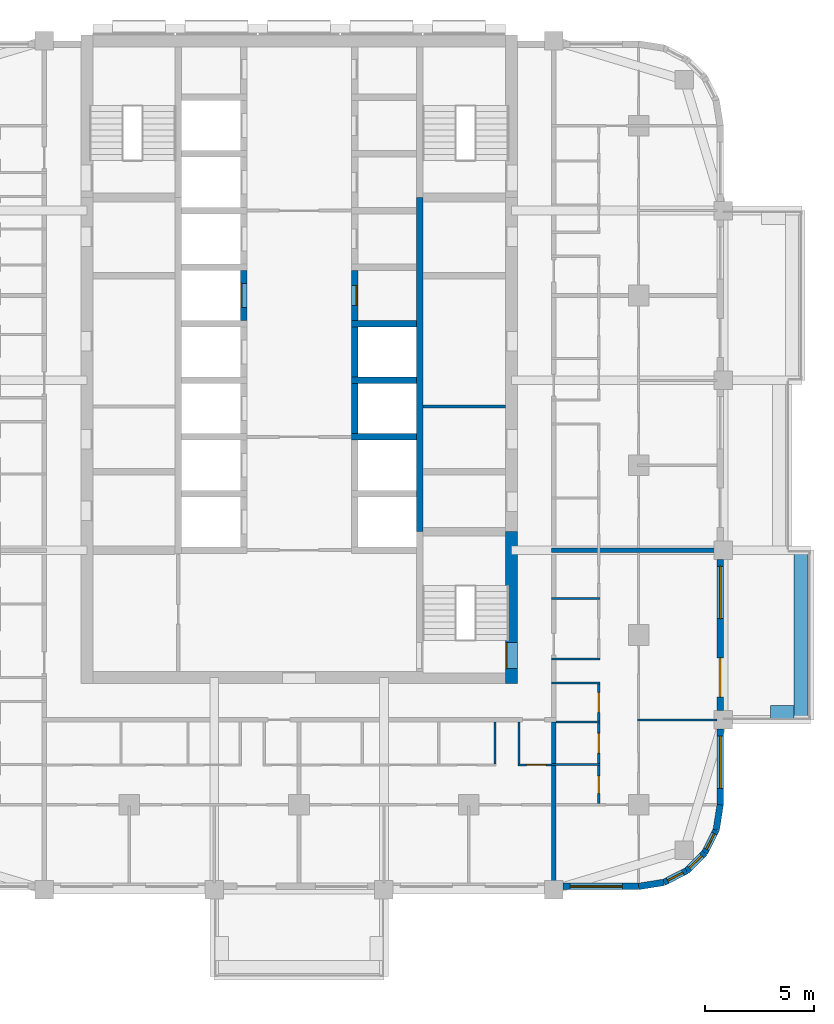
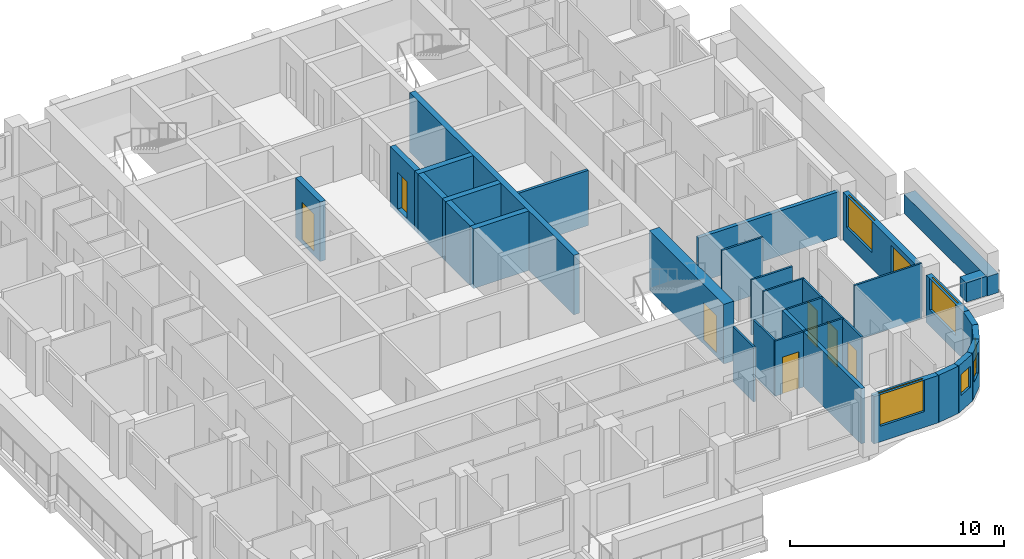
# One storey, part 6 of 14: 32 walls, 8 doors, 6 windows, 14 openings.
"""IFC4 building model written with IfcOpenShell, lengths in metres."""

from ifc_helpers import new_model, si_unit, direction, frame, frame_2d, origin, place, context, subcontext, project, spatial, rectangle, extrude, material, layer, layer_set, type_object, element, fill, save


model = new_model("IFC4")

# Units and contexts
model_context = context("Model", 3, precision=1e-05, world=origin(), true_north=direction((0.0, 1.0)))
body_context = subcontext(model_context, "Body", "Model", "MODEL_VIEW")
ifc_project = project(units=[si_unit("LENGTHUNIT", "METRE"), si_unit("AREAUNIT", "SQUARE_METRE"), si_unit("VOLUMEUNIT", "CUBIC_METRE"), si_unit("PLANEANGLEUNIT", "RADIAN"), si_unit("MASSUNIT", "GRAM", prefix="KILO")], contexts=[model_context])

# Site, building, storey
site_placement = place(None, origin())
site = spatial("IfcSite", under=ifc_project, at=site_placement, CompositionType="ELEMENT")
building_placement = place(site_placement, origin())
building = spatial("IfcBuilding", under=site, at=building_placement, Name="Ludao Terraces", CompositionType="ELEMENT")
storey_placement = place(building_placement, frame((0.0, 0.0, 110.10009765625)))
storey = spatial("IfcBuildingStorey", under=building, at=storey_placement, Name="L30", CompositionType="ELEMENT", Elevation=110.10009765625)

# Wall, opening, door
ifc_material_1 = material(Name="Concrete C60", Category="concrete")
ifc_layer_1 = layer(ifc_material_1, 0.550048828125)
ifc_layer_set_1 = layer_set([ifc_layer_1], Name="Core wall 550 C60")
wall_type_1 = type_object("IfcWallType", Name="Core wall 550 C60", PredefinedType="SOLIDWALL", material=ifc_layer_set_1)
wall_1_placement = place(storey_placement, frame((94.75, 54.97509765625, -0.25), z_axis=(0.0, 0.0, 1.0), x_axis=(0.0, 1.0, 0.0)))
wall_1 = element("IfcWall", 1, at=wall_1_placement, inside=storey, type_object=wall_type_1, Name="Core wall L30 outer-E-S3", PredefinedType="SOLIDWALL", context=body_context, shape_type="SweptSolid", body=[
    extrude(rectangle(XDim=6.974853515625, YDim=0.550048828125, at=frame_2d((3.4873046875, 0.0))), origin(), (0.0, 0.0, 1.0), 3.39990234375),
])
opening_1_placement = place(wall_1_placement, frame((0.675048828125, 0.0, 0.25)))
opening_1 = element("IfcOpeningElement", 2, at=opening_1_placement, cuts=wall_1, Name="Opening R09-033", PredefinedType="OPENING", context=body_context, shape_type="SweptSolid", body=[
    extrude(rectangle(XDim=1.199951171875, YDim=2.10009765625, at=frame_2d((0.60009765625, 1.050048828125))), frame((0.0, 0.28515625, 0.0), z_axis=(0.0, -1.0, 0.0), x_axis=(1.0, 0.0, 0.0)), (0.0, 0.0, 1.0), 0.570068359375),
])
ifc_material_2 = material(Name="Steel Q235", Category="steel")
door_type_1 = type_object("IfcDoorType", Name="INT Stair door 1200", OperationType="DOUBLE_DOOR_SINGLE_SWING", PredefinedType="DOOR", material=ifc_material_2)
door_1_placement = place(opening_1_placement, origin())
door_1 = element("IfcDoor", 3, at=door_1_placement, inside=storey, type_object=door_type_1, Name="DOOR 033", OperationType="DOUBLE_DOOR_SINGLE_SWING", OverallHeight=2.10009765625, OverallWidth=1.199951171875, PredefinedType="DOOR", context=body_context, shape_type="SweptSolid", body=[
    extrude(rectangle(XDim=1.199951171875, YDim=2.10009765625, at=frame_2d((0.60009765625, 1.050048828125))), frame((0.0, 0.26025390625, 0.0), z_axis=(0.0, -1.0, 0.0), x_axis=(1.0, 0.0, 0.0)), (0.0, 0.0, 1.0), 0.050048828125),
])
fill(opening_1, door_1)

# Walls
ifc_material_3 = material(Name="Concrete C40", Category="concrete")
ifc_layer_2 = layer(ifc_material_3, 0.60009765625)
ifc_layer_set_2 = layer_set([ifc_layer_2], Name="ENV Planter trough 600")
wall_type_2 = type_object("IfcWallType", Name="ENV Planter trough 600", PredefinedType="USERDEFINED", material=ifc_layer_set_2)
wall_2_placement = place(storey_placement, frame((108.050048828125, 53.300048828125, 0.0), z_axis=(0.0, 0.0, 1.0), x_axis=(0.0, 1.0, 0.0)))
element("IfcWall", 4, at=wall_2_placement, inside=storey, type_object=wall_type_2, Name="PL-L30-E1", ObjectType="PLANTER", PredefinedType="USERDEFINED", context=body_context, shape_type="SweptSolid", body=[
    extrude(rectangle(XDim=7.800048828125, YDim=0.60009765625, at=frame_2d((3.89990234375, 0.0))), origin(), (0.0, 0.0, 1.0), 1.099853515625),
])
wall_3_placement = place(storey_placement, frame((107.75, 53.64990234375, 0.0), z_axis=(0.0, 0.0, 1.0), x_axis=(-1.0, 0.0, 0.0)))
element("IfcWall", 5, at=wall_3_placement, inside=storey, type_object=wall_type_2, Name="PL-L30-E1-SA", ObjectType="PLANTER", PredefinedType="USERDEFINED", context=body_context, shape_type="SweptSolid", body=[
    extrude(rectangle(XDim=1.10009765625, YDim=0.60009765625, at=frame_2d((0.550048828125, 0.0))), origin(), (0.0, 0.0, 1.0), 1.099853515625),
])

# Wall, opening, window
ifc_material_4 = material(Name="Granite cladding", Category="masonry")
ifc_layer_3 = layer(ifc_material_4, 0.0400390625, Category="stone")
ifc_material_5 = material(Name="Mineral wool")
ifc_layer_4 = layer(ifc_material_5, 0.06005859375)
ifc_layer_5 = layer(ifc_material_3, 0.199951171875, Category="concrete")
ifc_layer_set_3 = layer_set([ifc_layer_3, ifc_layer_4, ifc_layer_5], Name="ENV Stone-clad wall 300")
wall_type_3 = type_object("IfcWallType", Name="ENV Stone-clad wall 300", PredefinedType="SOLIDWALL", material=ifc_layer_set_3)
wall_4_placement = place(storey_placement, frame((97.125, 45.64990234375, 0.0), z_axis=(0.0, 0.0, 1.0), x_axis=(1.0, 0.0, 0.0)))
wall_4 = element("IfcWall", 6, at=wall_4_placement, inside=storey, type_object=wall_type_3, Name="EW-L30-S5", PredefinedType="SOLIDWALL", context=body_context, shape_type="SweptSolid", body=[
    extrude(rectangle(XDim=3.47509765625, YDim=0.300048828125, at=frame_2d((1.737548828125, 0.0))), origin(), (0.0, 0.0, 1.0), 2.699951171875),
])
opening_2_placement = place(wall_4_placement, frame((0.324951171875, 0.0, 0.89990234375)))
opening_2 = element("IfcOpeningElement", 7, at=opening_2_placement, cuts=wall_4, Name="Opening W1", PredefinedType="OPENING", context=body_context, shape_type="SweptSolid", body=[
    extrude(rectangle(XDim=2.39990234375, YDim=1.800048828125, at=frame_2d((1.199951171875, 0.89990234375))), frame((0.0, 0.16015625, 0.0), z_axis=(0.0, -1.0, 0.0), x_axis=(1.0, 0.0, 0.0)), (0.0, 0.0, 1.0), 0.320068359375),
])
ifc_material_6 = material(Name="Clear glass in aluminium frame", Category="aluminium")
ifc_layer_6 = layer(ifc_material_6, 0.06005859375)
ifc_layer_set_4 = layer_set([ifc_layer_6], Name="ENV Window W1 2400x1800")
window_type_1 = type_object("IfcWindowType", Name="ENV Window W1 2400x1800", PartitioningType="DOUBLE_PANEL_VERTICAL", PredefinedType="WINDOW", material=ifc_layer_set_4)
window_1_placement = place(opening_2_placement, origin())
window_1 = element("IfcWindow", 8, at=window_1_placement, inside=storey, type_object=window_type_1, Name="W-L30-S5-1", OverallHeight=1.800048828125, OverallWidth=2.39990234375, PartitioningType="DOUBLE_PANEL_VERTICAL", PredefinedType="WINDOW", context=body_context, shape_type="SweptSolid", body=[
    extrude(rectangle(XDim=2.39990234375, YDim=1.800048828125, at=frame_2d((1.199951171875, 0.89990234375))), frame((0.0, 0.030029296875, 0.0), z_axis=(0.0, -1.0, 0.0), x_axis=(1.0, 0.0, 0.0)), (0.0, 0.0, 1.0), 0.06005859375),
])
fill(opening_2, window_1)

wall_5_placement = place(storey_placement, frame((104.35009765625, 49.39990234375, 0.0), z_axis=(0.0, 0.0, 1.0), x_axis=(0.0, 1.0, 0.0)))
wall_5 = element("IfcWall", 9, at=wall_5_placement, inside=storey, type_object=wall_type_3, Name="EW-L30-E1", PredefinedType="SOLIDWALL", context=body_context, shape_type="SweptSolid", body=[
    extrude(rectangle(XDim=3.47509765625, YDim=0.300048828125, at=frame_2d((1.737548828125, 0.0))), origin(), (0.0, 0.0, 1.0), 2.699951171875),
])
opening_3_placement = place(wall_5_placement, frame((0.75, 0.0, 0.89990234375)))
opening_3 = element("IfcOpeningElement", 10, at=opening_3_placement, cuts=wall_5, Name="Opening W1", PredefinedType="OPENING", context=body_context, shape_type="SweptSolid", body=[
    extrude(rectangle(XDim=2.39990234375, YDim=1.800048828125, at=frame_2d((1.199951171875, 0.89990234375))), frame((0.0, 0.16015625, 0.0), z_axis=(0.0, -1.0, 0.0), x_axis=(1.0, 0.0, 0.0)), (0.0, 0.0, 1.0), 0.320068359375),
])
window_2_placement = place(opening_3_placement, origin())
window_2 = element("IfcWindow", 11, at=window_2_placement, inside=storey, type_object=window_type_1, Name="W-L30-E1-1", OverallHeight=1.800048828125, OverallWidth=2.39990234375, PartitioningType="DOUBLE_PANEL_VERTICAL", PredefinedType="WINDOW", context=body_context, shape_type="SweptSolid", body=[
    extrude(rectangle(XDim=2.39990234375, YDim=1.800048828125, at=frame_2d((1.199951171875, 0.89990234375))), frame((0.0, 0.030029296875, 0.0), z_axis=(0.0, -1.0, 0.0), x_axis=(1.0, 0.0, 0.0)), (0.0, 0.0, 1.0), 0.06005859375),
])
fill(opening_3, window_2)

# Wall, openings, door, window
wall_6_placement = place(storey_placement, frame((104.35009765625, 53.72509765625, 0.0), z_axis=(0.0, 0.0, 1.0), x_axis=(0.0, 1.0, 0.0)))
wall_6 = element("IfcWall", 12, at=wall_6_placement, inside=storey, type_object=wall_type_3, Name="EW-L30-E2", PredefinedType="SOLIDWALL", context=body_context, shape_type="SweptSolid", body=[
    extrude(rectangle(XDim=6.949951171875, YDim=0.300048828125, at=frame_2d((3.47509765625, 0.0))), origin(), (0.0, 0.0, 1.0), 2.699951171875),
])
opening_4_placement = place(wall_6_placement, frame((0.625, 0.0, 0.0)))
opening_4 = element("IfcOpeningElement", 13, at=opening_4_placement, cuts=wall_6, Name="Opening BD", PredefinedType="OPENING", context=body_context, shape_type="SweptSolid", body=[
    extrude(rectangle(XDim=1.800048828125, YDim=2.39990234375, at=frame_2d((0.89990234375, 1.199951171875))), frame((0.0, 0.16015625, 0.0), z_axis=(0.0, -1.0, 0.0), x_axis=(1.0, 0.0, 0.0)), (0.0, 0.0, 1.0), 0.320068359375),
])
opening_5_placement = place(wall_6_placement, frame((4.22509765625, 0.0, 0.89990234375)))
opening_5 = element("IfcOpeningElement", 14, at=opening_5_placement, cuts=wall_6, Name="Opening W1", PredefinedType="OPENING", context=body_context, shape_type="SweptSolid", body=[
    extrude(rectangle(XDim=2.39990234375, YDim=1.800048828125, at=frame_2d((1.199951171875, 0.89990234375))), frame((0.0, 0.16015625, 0.0), z_axis=(0.0, -1.0, 0.0), x_axis=(1.0, 0.0, 0.0)), (0.0, 0.0, 1.0), 0.320068359375),
])
ifc_material_7 = material(Name="Aluminium glazed door", Category="aluminium")
ifc_layer_7 = layer(ifc_material_7, 0.06005859375)
ifc_layer_set_5 = layer_set([ifc_layer_7], Name="ENV Balcony door BD 1800x2400")
door_type_2 = type_object("IfcDoorType", Name="ENV Balcony door BD 1800x2400", OperationType="DOUBLE_DOOR_SINGLE_SWING", PredefinedType="DOOR", material=ifc_layer_set_5)
door_2_placement = place(opening_4_placement, origin())
door_2 = element("IfcDoor", 15, at=door_2_placement, inside=storey, type_object=door_type_2, Name="BD-L30-E2-1", OperationType="DOUBLE_DOOR_SINGLE_SWING", OverallHeight=2.39990234375, OverallWidth=1.800048828125, PredefinedType="DOOR", context=body_context, shape_type="SweptSolid", body=[
    extrude(rectangle(XDim=1.800048828125, YDim=2.39990234375, at=frame_2d((0.89990234375, 1.199951171875))), frame((0.0, 0.02490234375, 0.0), z_axis=(0.0, -1.0, 0.0), x_axis=(1.0, 0.0, 0.0)), (0.0, 0.0, 1.0), 0.050048828125),
])
fill(opening_4, door_2)
window_3_placement = place(opening_5_placement, origin())
window_3 = element("IfcWindow", 16, at=window_3_placement, inside=storey, type_object=window_type_1, Name="W-L30-E2-2", OverallHeight=1.800048828125, OverallWidth=2.39990234375, PartitioningType="DOUBLE_PANEL_VERTICAL", PredefinedType="WINDOW", context=body_context, shape_type="SweptSolid", body=[
    extrude(rectangle(XDim=2.39990234375, YDim=1.800048828125, at=frame_2d((1.199951171875, 0.89990234375))), frame((0.0, 0.030029296875, 0.0), z_axis=(0.0, -1.0, 0.0), x_axis=(1.0, 0.0, 0.0)), (0.0, 0.0, 1.0), 0.06005859375),
])
fill(opening_5, window_3)

# Wall
wall_7_placement = place(storey_placement, frame((100.60009765625, 45.64990234375, 0.0), z_axis=(0.0, 0.0, 1.0), x_axis=(0.987678452879, 0.156496880861, 0.0)))
element("IfcWall", 17, at=wall_7_placement, inside=storey, type_object=wall_type_3, Name="EW-L30-SE1", PredefinedType="SOLIDWALL", context=body_context, shape_type="SweptSolid", body=[
    extrude(rectangle(XDim=1.173095703125, YDim=0.300048828125, at=frame_2d((0.58642578125, 0.0))), origin(), (0.0, 0.0, 1.0), 2.699951171875),
])

# Wall, opening, window
wall_8_placement = place(storey_placement, frame((101.7587890625, 45.83349609375, 0.0), z_axis=(0.0, 0.0, 1.0), x_axis=(0.890988677504, 0.454025524128, 0.0)))
wall_8 = element("IfcWall", 18, at=wall_8_placement, inside=storey, type_object=wall_type_3, Name="EW-L30-SE2", PredefinedType="SOLIDWALL", context=body_context, shape_type="SweptSolid", body=[
    extrude(rectangle(XDim=1.17333984375, YDim=0.300048828125, at=frame_2d((0.586669921875, 0.0))), origin(), (0.0, 0.0, 1.0), 2.699951171875),
])
opening_6_placement = place(wall_8_placement, frame((0.1865234375, 0.0, 0.89990234375)))
opening_6 = element("IfcOpeningElement", 19, at=opening_6_placement, cuts=wall_8, Name="Opening W3", PredefinedType="OPENING", context=body_context, shape_type="SweptSolid", body=[
    extrude(rectangle(XDim=0.800048828125, YDim=1.199951171875, at=frame_2d((0.39990234375, 0.60009765625))), frame((0.0, 0.16015625, 0.0), z_axis=(0.0, -1.0, 0.0), x_axis=(1.0, 0.0, 0.0)), (0.0, 0.0, 1.0), 0.320068359375),
])
ifc_layer_8 = layer(ifc_material_6, 0.06005859375)
ifc_layer_set_6 = layer_set([ifc_layer_8], Name="ENV Window W3 800x1200")
window_type_2 = type_object("IfcWindowType", Name="ENV Window W3 800x1200", PartitioningType="SINGLE_PANEL", PredefinedType="WINDOW", material=ifc_layer_set_6)
window_4_placement = place(opening_6_placement, origin())
window_4 = element("IfcWindow", 20, at=window_4_placement, inside=storey, type_object=window_type_2, Name="W-L30-SE2", OverallHeight=1.199951171875, OverallWidth=0.800048828125, PartitioningType="SINGLE_PANEL", PredefinedType="WINDOW", context=body_context, shape_type="SweptSolid", body=[
    extrude(rectangle(XDim=0.800048828125, YDim=1.199951171875, at=frame_2d((0.39990234375, 0.60009765625))), frame((0.0, 0.030029296875, 0.0), z_axis=(0.0, -1.0, 0.0), x_axis=(1.0, 0.0, 0.0)), (0.0, 0.0, 1.0), 0.06005859375),
])
fill(opening_6, window_4)

wall_9_placement = place(storey_placement, frame((102.80419921875, 46.3662109375, 0.0), z_axis=(0.0, 0.0, 1.0), x_axis=(0.707106781187, 0.707106781187, 0.0)))
wall_9 = element("IfcWall", 21, at=wall_9_placement, inside=storey, type_object=wall_type_3, Name="EW-L30-SE3", PredefinedType="SOLIDWALL", context=body_context, shape_type="SweptSolid", body=[
    extrude(rectangle(XDim=1.173095703125, YDim=0.300048828125, at=frame_2d((0.58642578125, 0.0))), origin(), (0.0, 0.0, 1.0), 2.699951171875),
])
opening_7_placement = place(wall_9_placement, frame((0.1865234375, 0.0, 0.89990234375)))
opening_7 = element("IfcOpeningElement", 22, at=opening_7_placement, cuts=wall_9, Name="Opening W3", PredefinedType="OPENING", context=body_context, shape_type="SweptSolid", body=[
    extrude(rectangle(XDim=0.800048828125, YDim=1.199951171875, at=frame_2d((0.39990234375, 0.60009765625))), frame((0.0, 0.16015625, 0.0), z_axis=(0.0, -1.0, 0.0), x_axis=(1.0, 0.0, 0.0)), (0.0, 0.0, 1.0), 0.320068359375),
])
window_5_placement = place(opening_7_placement, origin())
window_5 = element("IfcWindow", 23, at=window_5_placement, inside=storey, type_object=window_type_2, Name="W-L30-SE3", OverallHeight=1.199951171875, OverallWidth=0.800048828125, PartitioningType="SINGLE_PANEL", PredefinedType="WINDOW", context=body_context, shape_type="SweptSolid", body=[
    extrude(rectangle(XDim=0.800048828125, YDim=1.199951171875, at=frame_2d((0.39990234375, 0.60009765625))), frame((0.0, 0.030029296875, 0.0), z_axis=(0.0, -1.0, 0.0), x_axis=(1.0, 0.0, 0.0)), (0.0, 0.0, 1.0), 0.06005859375),
])
fill(opening_7, window_5)

wall_10_placement = place(storey_placement, frame((103.6337890625, 47.19580078125, 0.0), z_axis=(0.0, 0.0, 1.0), x_axis=(0.454025524128, 0.890988677504, 0.0)))
wall_10 = element("IfcWall", 24, at=wall_10_placement, inside=storey, type_object=wall_type_3, Name="EW-L30-SE4", PredefinedType="SOLIDWALL", context=body_context, shape_type="SweptSolid", body=[
    extrude(rectangle(XDim=1.17333984375, YDim=0.300048828125, at=frame_2d((0.586669921875, 0.0))), origin(), (0.0, 0.0, 1.0), 2.699951171875),
])
opening_8_placement = place(wall_10_placement, frame((0.1865234375, 0.0, 0.89990234375)))
opening_8 = element("IfcOpeningElement", 25, at=opening_8_placement, cuts=wall_10, Name="Opening W3", PredefinedType="OPENING", context=body_context, shape_type="SweptSolid", body=[
    extrude(rectangle(XDim=0.800048828125, YDim=1.199951171875, at=frame_2d((0.39990234375, 0.60009765625))), frame((0.0, 0.16015625, 0.0), z_axis=(0.0, -1.0, 0.0), x_axis=(1.0, 0.0, 0.0)), (0.0, 0.0, 1.0), 0.320068359375),
])
window_6_placement = place(opening_8_placement, origin())
window_6 = element("IfcWindow", 26, at=window_6_placement, inside=storey, type_object=window_type_2, Name="W-L30-SE4", OverallHeight=1.199951171875, OverallWidth=0.800048828125, PartitioningType="SINGLE_PANEL", PredefinedType="WINDOW", context=body_context, shape_type="SweptSolid", body=[
    extrude(rectangle(XDim=0.800048828125, YDim=1.199951171875, at=frame_2d((0.39990234375, 0.60009765625))), frame((0.0, 0.030029296875, 0.0), z_axis=(0.0, -1.0, 0.0), x_axis=(1.0, 0.0, 0.0)), (0.0, 0.0, 1.0), 0.06005859375),
])
fill(opening_8, window_6)

# Walls
wall_11_placement = place(storey_placement, frame((104.16650390625, 48.2412109375, 0.0), z_axis=(0.0, 0.0, 1.0), x_axis=(0.156496880861, 0.987678452879, 0.0)))
element("IfcWall", 27, at=wall_11_placement, inside=storey, type_object=wall_type_3, Name="EW-L30-SE5", PredefinedType="SOLIDWALL", context=body_context, shape_type="SweptSolid", body=[
    extrude(rectangle(XDim=1.173095703125, YDim=0.300048828125, at=frame_2d((0.58642578125, 0.0))), origin(), (0.0, 0.0, 1.0), 2.699951171875),
])
ifc_material_8 = material(Name="Fire-rated gypsum plasterboard", Category="gypsum")
ifc_layer_9 = layer(ifc_material_8, 0.012451171875, Category="gypsum")
ifc_layer_10 = layer(ifc_material_5, 0.10009765625, Name="insulation")
ifc_layer_11 = layer(ifc_material_2, 0.02490234375, Name="stud")
ifc_layer_12 = layer(ifc_material_8, 0.012451171875, Category="gypsum")
ifc_layer_set_7 = layer_set([ifc_layer_9, ifc_layer_10, ifc_layer_11, ifc_layer_12], Name="INT Core partition 150")
wall_type_4 = type_object("IfcWallType", Name="INT Core partition 150", PredefinedType="PARTITIONING", material=ifc_layer_set_7)
wall_12_placement = place(storey_placement, frame((90.7001953125, 67.699951171875, 0.0), z_axis=(0.0, 0.0, 1.0), x_axis=(1.0, 0.0, 0.0)))
element("IfcWall", 28, at=wall_12_placement, inside=storey, type_object=wall_type_4, Name="PW-L30-PW028", PredefinedType="PARTITIONING", context=body_context, shape_type="SweptSolid", body=[
    extrude(rectangle(XDim=3.77490234375, YDim=0.14990234375, at=frame_2d((1.887451171875, 0.0))), origin(), (0.0, 0.0, 1.0), 3.14990234375),
])

# Wall, opening, door
ifc_material_9 = material(Name="Gypsum plasterboard", Category="gypsum")
ifc_layer_13 = layer(ifc_material_9, 0.012451171875, Category="gypsum")
ifc_layer_14 = layer(ifc_material_5, 0.06005859375, Name="insulation")
ifc_layer_15 = layer(ifc_material_2, 0.014892578125, Name="stud")
ifc_layer_16 = layer(ifc_material_9, 0.012451171875, Category="gypsum")
ifc_layer_set_8 = layer_set([ifc_layer_13, ifc_layer_14, ifc_layer_15, ifc_layer_16], Name="INT Partition 100")
wall_type_5 = type_object("IfcWallType", Name="INT Partition 100", PredefinedType="PARTITIONING", material=ifc_layer_set_8)
wall_13_placement = place(storey_placement, frame((95.050048828125, 51.22998046875, 0.0), z_axis=(0.0, 0.0, 1.0), x_axis=(1.0, 0.0, 0.0)))
wall_13 = element("IfcWall", 29, at=wall_13_placement, inside=storey, type_object=wall_type_5, Name="PW-L30-PW003", PredefinedType="PARTITIONING", context=body_context, shape_type="SweptSolid", body=[
    extrude(rectangle(XDim=1.550048828125, YDim=0.10009765625, at=frame_2d((0.77490234375, 0.0))), origin(), (0.0, 0.0, 1.0), 3.14990234375),
])
opening_9_placement = place(wall_13_placement, frame((0.39990234375, 0.0, 0.0)))
opening_9 = element("IfcOpeningElement", 30, at=opening_9_placement, cuts=wall_13, Name="Opening R09-020", PredefinedType="OPENING", context=body_context, shape_type="SweptSolid", body=[
    extrude(rectangle(XDim=0.89990234375, YDim=2.10009765625, at=frame_2d((0.449951171875, 1.050048828125))), frame((0.0, 0.06005859375, 0.0), z_axis=(0.0, -1.0, 0.0), x_axis=(1.0, 0.0, 0.0)), (0.0, 0.0, 1.0), 0.1201171875),
])
ifc_material_10 = material(Name="Timber door leaf", Category="wood")
door_type_3 = type_object("IfcDoorType", Name="INT Bathroom door 900", OperationType="SINGLE_SWING_LEFT", PredefinedType="DOOR", material=ifc_material_10)
door_3_placement = place(opening_9_placement, origin())
door_3 = element("IfcDoor", 31, at=door_3_placement, inside=storey, type_object=door_type_3, Name="DOOR 020", OperationType="SINGLE_SWING_RIGHT", OverallHeight=2.10009765625, OverallWidth=0.89990234375, PredefinedType="DOOR", context=body_context, shape_type="SweptSolid", body=[
    extrude(rectangle(XDim=0.89990234375, YDim=2.10009765625, at=frame_2d((0.449951171875, 1.050048828125))), frame((0.0, 0.02490234375, 0.0), z_axis=(0.0, -1.0, 0.0), x_axis=(1.0, 0.0, 0.0)), (0.0, 0.0, 1.0), 0.050048828125),
])
fill(opening_9, door_3)

# Walls
wall_14_placement = place(storey_placement, frame((96.60009765625, 51.25, 0.0), z_axis=(0.0, 0.0, 1.0), x_axis=(1.0, 0.0, 0.0)))
element("IfcWall", 32, at=wall_14_placement, inside=storey, type_object=wall_type_5, Name="PW-L30-PW005", PredefinedType="PARTITIONING", context=body_context, shape_type="SweptSolid", body=[
    extrude(rectangle(XDim=2.219970703125, YDim=0.10009765625, at=frame_2d((1.10986328125, 0.0))), origin(), (0.0, 0.0, 1.0), 3.14990234375),
])
wall_15_placement = place(storey_placement, frame((96.800048828125, 53.199951171875, 0.0), z_axis=(0.0, 0.0, 1.0), x_axis=(1.0, 0.0, 0.0)))
element("IfcWall", 33, at=wall_15_placement, inside=storey, type_object=wall_type_5, Name="PW-L30-PW006", PredefinedType="PARTITIONING", context=body_context, shape_type="SweptSolid", body=[
    extrude(rectangle(XDim=2.02001953125, YDim=0.10009765625, at=frame_2d((1.010009765625, 0.0))), origin(), (0.0, 0.0, 1.0), 3.14990234375),
])
wall_16_placement = place(storey_placement, frame((100.550048828125, 53.300048828125, 0.0), z_axis=(0.0, 0.0, 1.0), x_axis=(1.0, 0.0, 0.0)))
element("IfcWall", 34, at=wall_16_placement, inside=storey, type_object=wall_type_5, Name="PW-L30-PW009", PredefinedType="PARTITIONING", context=body_context, shape_type="SweptSolid", body=[
    extrude(rectangle(XDim=3.650146484375, YDim=0.10009765625, at=frame_2d((1.8251953125, 0.0))), origin(), (0.0, 0.0, 1.0), 3.14990234375),
])
for number, where, z_axis, x_axis, name in (
    (35, (96.60009765625, 55.0, 0.0), (0.0, 0.0, 1.0), (1.0, 0.0, 0.0), "PW-L30-PW011"),
    (36, (96.60009765625, 56.10009765625, 0.0), (0.0, 0.0, 1.0), (1.0, 0.0, 0.0), "PW-L30-PW013"),
    (37, (96.60009765625, 58.8701171875, 0.0), (0.0, 0.0, 1.0), (1.0, 0.0, 0.0), "PW-L30-PW016"),
):
    element("IfcWall", number, at=place(storey_placement, frame(where, z_axis=z_axis, x_axis=x_axis)), inside=storey, type_object=wall_type_5, Name=name, PredefinedType="PARTITIONING", context=body_context, shape_type="SweptSolid", body=[
        extrude(rectangle(XDim=2.219970703125, YDim=0.10009765625, at=frame_2d((1.10986328125, 0.0))), origin(), (0.0, 0.0, 1.0), 3.14990234375),
    ])
for number, where, z_axis, x_axis, name in (
    (38, (94.0, 51.280029296875, 0.0), (0.0, 0.0, 1.0), (0.0, 1.0, 0.0), "PW-L30-PW069"),
    (39, (95.10009765625, 51.280029296875, 0.0), (0.0, 0.0, 1.0), (0.0, 1.0, 0.0), "PW-L30-PW070"),
):
    element("IfcWall", number, at=place(storey_placement, frame(where, z_axis=z_axis, x_axis=x_axis)), inside=storey, type_object=wall_type_5, Name=name, PredefinedType="PARTITIONING", context=body_context, shape_type="SweptSolid", body=[
        extrude(rectangle(XDim=1.920166015625, YDim=0.10009765625, at=frame_2d((0.9599609375, 0.0))), origin(), (0.0, 0.0, 1.0), 3.14990234375),
    ])

# Wall, openings, doors
wall_17_placement = place(storey_placement, frame((98.77001953125, 49.4501953125, 0.0), z_axis=(0.0, 0.0, 1.0), x_axis=(0.0, 1.0, 0.0)))
wall_17 = element("IfcWall", 40, at=wall_17_placement, inside=storey, type_object=wall_type_5, Name="PW-L30-PW073", PredefinedType="PARTITIONING", context=body_context, shape_type="SweptSolid", body=[
    extrude(rectangle(XDim=5.5, YDim=0.10009765625, at=frame_2d((2.75, 0.0))), origin(), (0.0, 0.0, 1.0), 3.14990234375),
])
opening_10_placement = place(wall_17_placement, frame((0.474853515625, 0.0, 0.0)))
opening_10 = element("IfcOpeningElement", 41, at=opening_10_placement, cuts=wall_17, Name="Opening R09-012", PredefinedType="OPENING", context=body_context, shape_type="SweptSolid", body=[
    extrude(rectangle(XDim=0.800048828125, YDim=2.10009765625, at=frame_2d((0.39990234375, 1.050048828125))), frame((0.0, 0.06005859375, 0.0), z_axis=(0.0, -1.0, 0.0), x_axis=(1.0, 0.0, 0.0)), (0.0, 0.0, 1.0), 0.1201171875),
])
opening_11_placement = place(wall_17_placement, frame((2.324951171875, 0.0, 0.0)))
opening_11 = element("IfcOpeningElement", 42, at=opening_11_placement, cuts=wall_17, Name="Opening R09-023", PredefinedType="OPENING", context=body_context, shape_type="SweptSolid", body=[
    extrude(rectangle(XDim=0.89990234375, YDim=2.10009765625, at=frame_2d((0.449951171875, 1.050048828125))), frame((0.0, 0.06005859375, 0.0), z_axis=(0.0, -1.0, 0.0), x_axis=(1.0, 0.0, 0.0)), (0.0, 0.0, 1.0), 0.1201171875),
])
opening_12_placement = place(wall_17_placement, frame((4.199951171875, 0.0, 0.0)))
opening_12 = element("IfcOpeningElement", 43, at=opening_12_placement, cuts=wall_17, Name="Opening R09-027", PredefinedType="OPENING", context=body_context, shape_type="SweptSolid", body=[
    extrude(rectangle(XDim=0.89990234375, YDim=2.10009765625, at=frame_2d((0.449951171875, 1.050048828125))), frame((0.0, 0.06005859375, 0.0), z_axis=(0.0, -1.0, 0.0), x_axis=(1.0, 0.0, 0.0)), (0.0, 0.0, 1.0), 0.1201171875),
])
door_4_placement = place(opening_11_placement, origin())
door_4 = element("IfcDoor", 44, at=door_4_placement, inside=storey, type_object=door_type_3, Name="DOOR 023", OperationType="SINGLE_SWING_RIGHT", OverallHeight=2.10009765625, OverallWidth=0.89990234375, PredefinedType="DOOR", context=body_context, shape_type="SweptSolid", body=[
    extrude(rectangle(XDim=0.89990234375, YDim=2.10009765625, at=frame_2d((0.449951171875, 1.050048828125))), frame((0.0, 0.02490234375, 0.0), z_axis=(0.0, -1.0, 0.0), x_axis=(1.0, 0.0, 0.0)), (0.0, 0.0, 1.0), 0.050048828125),
])
fill(opening_11, door_4)
door_5_placement = place(opening_12_placement, origin())
door_5 = element("IfcDoor", 45, at=door_5_placement, inside=storey, type_object=door_type_3, Name="DOOR 027", OperationType="SINGLE_SWING_RIGHT", OverallHeight=2.10009765625, OverallWidth=0.89990234375, PredefinedType="DOOR", context=body_context, shape_type="SweptSolid", body=[
    extrude(rectangle(XDim=0.89990234375, YDim=2.10009765625, at=frame_2d((0.449951171875, 1.050048828125))), frame((0.0, 0.02490234375, 0.0), z_axis=(0.0, -1.0, 0.0), x_axis=(1.0, 0.0, 0.0)), (0.0, 0.0, 1.0), 0.050048828125),
])
fill(opening_12, door_5)
door_type_4 = type_object("IfcDoorType", Name="INT Store door 800", OperationType="SINGLE_SWING_LEFT", PredefinedType="DOOR", material=ifc_material_10)
door_6_placement = place(opening_10_placement, origin())
door_6 = element("IfcDoor", 46, at=door_6_placement, inside=storey, type_object=door_type_4, Name="DOOR 012", OperationType="SINGLE_SWING_LEFT", OverallHeight=2.10009765625, OverallWidth=0.800048828125, PredefinedType="DOOR", context=body_context, shape_type="SweptSolid", body=[
    extrude(rectangle(XDim=0.800048828125, YDim=2.10009765625, at=frame_2d((0.39990234375, 1.050048828125))), frame((0.0, 0.02490234375, 0.0), z_axis=(0.0, -1.0, 0.0), x_axis=(1.0, 0.0, 0.0)), (0.0, 0.0, 1.0), 0.050048828125),
])
fill(opening_10, door_6)

# Walls
ifc_material_11 = material(Name="Autoclaved aerated concrete block B06 A3.5", Category="concrete")
ifc_layer_17 = layer(ifc_material_11, 0.199951171875)
ifc_layer_set_9 = layer_set([ifc_layer_17], Name="INT Party wall 200")
wall_type_6 = type_object("IfcWallType", Name="INT Party wall 200", PredefinedType="PARTITIONING", material=ifc_layer_set_9)
wall_18_placement = place(storey_placement, frame((96.60009765625, 61.10009765625, 0.0), z_axis=(0.0, 0.0, 1.0), x_axis=(1.0, 0.0, 0.0)))
element("IfcWall", 47, at=wall_18_placement, inside=storey, type_object=wall_type_6, Name="PW-L30-PW019", PredefinedType="PARTITIONING", context=body_context, shape_type="SweptSolid", body=[
    extrude(rectangle(XDim=7.60009765625, YDim=0.199951171875, at=frame_2d((3.800048828125, 0.0))), origin(), (0.0, 0.0, 1.0), 2.5498046875),
])
wall_19_placement = place(storey_placement, frame((96.699951171875, 45.800048828125, 0.0), z_axis=(0.0, 0.0, 1.0), x_axis=(0.0, 1.0, 0.0)))
element("IfcWall", 48, at=wall_19_placement, inside=storey, type_object=wall_type_6, Name="PW-L30-PW071", PredefinedType="PARTITIONING", context=body_context, shape_type="SweptSolid", body=[
    extrude(rectangle(XDim=7.400146484375, YDim=0.199951171875, at=frame_2d((3.7001953125, 0.0))), origin(), (0.0, 0.0, 1.0), 3.14990234375),
])
ifc_material_12 = material(Name="Concrete C55", Category="concrete")
ifc_layer_18 = layer(ifc_material_12, 0.300048828125)
ifc_layer_set_10 = layer_set([ifc_layer_18], Name="Shaft wall 300 C55")
wall_type_7 = type_object("IfcWallType", Name="Shaft wall 300 C55", PredefinedType="SOLIDWALL", material=ifc_layer_set_10)
wall_20_placement = place(storey_placement, frame((90.550048828125, 61.949951171875, -0.25), z_axis=(0.0, 0.0, 1.0), x_axis=(0.0, 1.0, 0.0)))
element("IfcWall", 49, at=wall_20_placement, inside=storey, type_object=wall_type_7, Name="Core wall L30 back-E", PredefinedType="SOLIDWALL", context=body_context, shape_type="SweptSolid", body=[
    extrude(rectangle(XDim=15.35009765625, YDim=0.300048828125, at=frame_2d((7.675048828125, 0.0))), origin(), (0.0, 0.0, 1.0), 3.39990234375),
])

# Wall, opening, door
wall_21_placement = place(storey_placement, frame((82.449951171875, 71.64990234375, -0.25), z_axis=(0.0, 0.0, 1.0), x_axis=(0.0, 1.0, 0.0)))
wall_21 = element("IfcWall", 50, at=wall_21_placement, inside=storey, type_object=wall_type_7, Name="Core wall L30 front-W5", PredefinedType="SOLIDWALL", context=body_context, shape_type="SweptSolid", body=[
    extrude(rectangle(XDim=2.300048828125, YDim=0.300048828125, at=frame_2d((1.14990234375, 0.0))), origin(), (0.0, 0.0, 1.0), 3.39990234375),
])
opening_13_placement = place(wall_21_placement, frame((0.60009765625, 0.0, 0.25)))
opening_13 = element("IfcOpeningElement", 51, at=opening_13_placement, cuts=wall_21, Name="Opening LD-LA5", PredefinedType="OPENING", context=body_context, shape_type="SweptSolid", body=[
    extrude(rectangle(XDim=1.10009765625, YDim=2.10009765625, at=frame_2d((0.550048828125, 1.050048828125))), frame((0.0, 0.16015625, 0.0), z_axis=(0.0, -1.0, 0.0), x_axis=(1.0, 0.0, 0.0)), (0.0, 0.0, 1.0), 0.320068359375),
])
ifc_material_13 = material(Name="Stainless steel 304", Category="steel")
door_type_5 = type_object("IfcDoorType", Name="INT Lift landing door 1100", OperationType="SLIDING_TO_LEFT", PredefinedType="DOOR", material=ifc_material_13)
door_7_placement = place(opening_13_placement, origin())
door_7 = element("IfcDoor", 52, at=door_7_placement, inside=storey, type_object=door_type_5, Name="LANDING DOOR LA5 L30", OperationType="SLIDING_TO_LEFT", OverallHeight=2.10009765625, OverallWidth=1.10009765625, PredefinedType="DOOR", context=body_context, shape_type="SweptSolid", body=[
    extrude(rectangle(XDim=1.10009765625, YDim=2.10009765625, at=frame_2d((0.550048828125, 1.050048828125))), frame((0.0, 0.13525390625, 0.0), z_axis=(0.0, -1.0, 0.0), x_axis=(1.0, 0.0, 0.0)), (0.0, 0.0, 1.0), 0.050048828125),
])
fill(opening_13, door_7)

# Walls
wall_22_placement = place(storey_placement, frame((87.39990234375, 66.300048828125, -0.25), z_axis=(0.0, 0.0, 1.0), x_axis=(1.0, 0.0, 0.0)))
element("IfcWall", 53, at=wall_22_placement, inside=storey, type_object=wall_type_7, Name="Core wall L30 div-E3", PredefinedType="SOLIDWALL", context=body_context, shape_type="SweptSolid", body=[
    extrude(rectangle(XDim=3.0, YDim=0.300048828125, at=frame_2d((1.5, 0.0))), origin(), (0.0, 0.0, 1.0), 3.39990234375),
])
wall_23_placement = place(storey_placement, frame((87.550048828125, 66.449951171875, -0.25), z_axis=(0.0, 0.0, 1.0), x_axis=(0.0, 1.0, 0.0)))
element("IfcWall", 54, at=wall_23_placement, inside=storey, type_object=wall_type_7, Name="Core wall L30 front-E3", PredefinedType="SOLIDWALL", context=body_context, shape_type="SweptSolid", body=[
    extrude(rectangle(XDim=2.300048828125, YDim=0.300048828125, at=frame_2d((1.14990234375, 0.0))), origin(), (0.0, 0.0, 1.0), 3.39990234375),
])
wall_24_placement = place(storey_placement, frame((87.39990234375, 68.89990234375, -0.25), z_axis=(0.0, 0.0, 1.0), x_axis=(1.0, 0.0, 0.0)))
element("IfcWall", 55, at=wall_24_placement, inside=storey, type_object=wall_type_7, Name="Core wall L30 div-E4", PredefinedType="SOLIDWALL", context=body_context, shape_type="SweptSolid", body=[
    extrude(rectangle(XDim=3.0, YDim=0.300048828125, at=frame_2d((1.5, 0.0))), origin(), (0.0, 0.0, 1.0), 3.39990234375),
])
wall_25_placement = place(storey_placement, frame((87.550048828125, 69.050048828125, -0.25), z_axis=(0.0, 0.0, 1.0), x_axis=(0.0, 1.0, 0.0)))
element("IfcWall", 56, at=wall_25_placement, inside=storey, type_object=wall_type_7, Name="Core wall L30 front-E4", PredefinedType="SOLIDWALL", context=body_context, shape_type="SweptSolid", body=[
    extrude(rectangle(XDim=2.300048828125, YDim=0.300048828125, at=frame_2d((1.14990234375, 0.0))), origin(), (0.0, 0.0, 1.0), 3.39990234375),
])
wall_26_placement = place(storey_placement, frame((87.39990234375, 71.5, -0.25), z_axis=(0.0, 0.0, 1.0), x_axis=(1.0, 0.0, 0.0)))
element("IfcWall", 57, at=wall_26_placement, inside=storey, type_object=wall_type_7, Name="Core wall L30 div-E5", PredefinedType="SOLIDWALL", context=body_context, shape_type="SweptSolid", body=[
    extrude(rectangle(XDim=3.0, YDim=0.300048828125, at=frame_2d((1.5, 0.0))), origin(), (0.0, 0.0, 1.0), 3.39990234375),
])

# Wall, opening, door
wall_27_placement = place(storey_placement, frame((87.550048828125, 71.64990234375, -0.25), z_axis=(0.0, 0.0, 1.0), x_axis=(0.0, 1.0, 0.0)))
wall_27 = element("IfcWall", 58, at=wall_27_placement, inside=storey, type_object=wall_type_7, Name="Core wall L30 front-E5", PredefinedType="SOLIDWALL", context=body_context, shape_type="SweptSolid", body=[
    extrude(rectangle(XDim=2.300048828125, YDim=0.300048828125, at=frame_2d((1.14990234375, 0.0))), origin(), (0.0, 0.0, 1.0), 3.39990234375),
])
opening_14_placement = place(wall_27_placement, frame((0.699951171875, 0.0, 0.25)))
opening_14 = element("IfcOpeningElement", 59, at=opening_14_placement, cuts=wall_27, Name="Opening R09-070", PredefinedType="OPENING", context=body_context, shape_type="SweptSolid", body=[
    extrude(rectangle(XDim=0.89990234375, YDim=2.10009765625, at=frame_2d((0.449951171875, 1.050048828125))), frame((0.0, 0.16015625, 0.0), z_axis=(0.0, -1.0, 0.0), x_axis=(1.0, 0.0, 0.0)), (0.0, 0.0, 1.0), 0.320068359375),
])
door_type_6 = type_object("IfcDoorType", Name="INT Room door 900", OperationType="SINGLE_SWING_LEFT", PredefinedType="DOOR", material=ifc_material_10)
door_8_placement = place(opening_14_placement, origin())
door_8 = element("IfcDoor", 60, at=door_8_placement, inside=storey, type_object=door_type_6, Name="DOOR 070", OperationType="SINGLE_SWING_RIGHT", OverallHeight=2.10009765625, OverallWidth=0.89990234375, PredefinedType="DOOR", context=body_context, shape_type="SweptSolid", body=[
    extrude(rectangle(XDim=0.89990234375, YDim=2.10009765625, at=frame_2d((0.449951171875, 1.050048828125))), frame((0.0, -0.0849609375, 0.0), z_axis=(0.0, -1.0, 0.0), x_axis=(1.0, 0.0, 0.0)), (0.0, 0.0, 1.0), 0.050048828125),
])
fill(opening_14, door_8)

save(model, "model.ifc")
